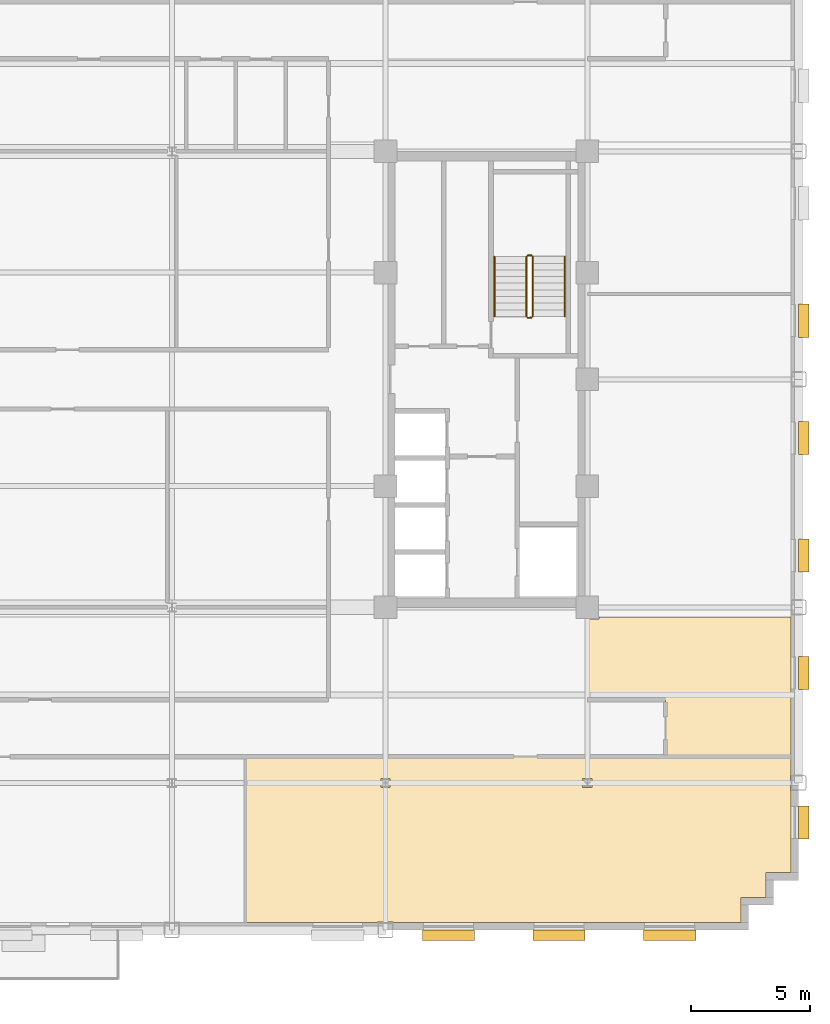
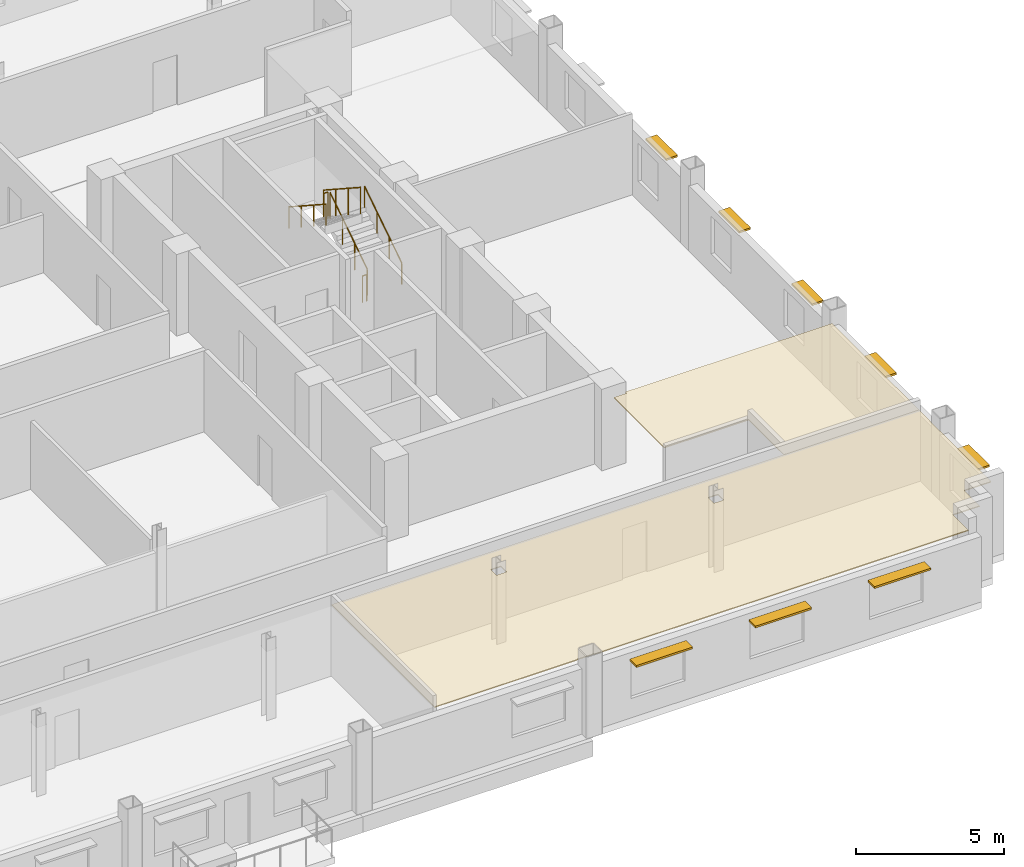
# One storey, part 13 of 14: 8 shading devices, 6 railings, 2 coverings.
"""IFC4 building model written with IfcOpenShell, lengths in metres."""

from ifc_helpers import new_model, si_unit, direction, frame, origin, origin_2d, place, context, subcontext, project, spatial, polyline, rectangle, circle, outline, extrude, source, transform, mapped, material, layer, layer_set, type_object, type_shapes, element, save


model = new_model("IFC4")

# Units and contexts
model_context = context("Model", 3, precision=1e-05, world=origin(), true_north=direction((0.0, 1.0)))
body_context = subcontext(model_context, "Body", "Model", "MODEL_VIEW")
ifc_project = project(units=[si_unit("LENGTHUNIT", "METRE"), si_unit("AREAUNIT", "SQUARE_METRE"), si_unit("VOLUMEUNIT", "CUBIC_METRE"), si_unit("PLANEANGLEUNIT", "RADIAN"), si_unit("MASSUNIT", "GRAM", prefix="KILO")], contexts=[model_context])

# Site, building, storey
site_placement = place(None, origin())
site = spatial("IfcSite", under=ifc_project, at=site_placement, CompositionType="ELEMENT")
building_placement = place(site_placement, origin())
building = spatial("IfcBuilding", under=site, at=building_placement, Name="Nuvemarco Arch Tower", CompositionType="ELEMENT")
storey_placement = place(building_placement, frame((0.0, 0.0, 145.75)))
storey = spatial("IfcBuildingStorey", under=building, at=storey_placement, Name="L38", CompositionType="ELEMENT", Elevation=145.75)

# Coverings
ifc_material_1 = material(Name="Mineral acoustic ceiling tile")
ifc_layer = layer(ifc_material_1, 0.0400390625, Name="COV-ACOUSTIC-CLG")
ifc_layer_set = layer_set([ifc_layer], Name="Mineral acoustic ceiling tile")
covering_type = type_object("IfcCoveringType", Name="COV-ACOUSTIC-CLG", PredefinedType="CEILING", material=ifc_layer_set)
covering_1_placement = place(storey_placement, frame((0.0, 0.0, 2.85009765625)))
element("IfcCovering", 1, at=covering_1_placement, inside=storey, type_object=covering_type, Name="L38 suspended acoustic ceiling 3", PredefinedType="CEILING", context=body_context, shape_type="SweptSolid", body=[
    extrude(outline(polyline([(17.5, -10.090087890625), (17.989990234375, -10.090087890625), (17.989990234375, -10.0), (26.080078125, -10.0), (26.080078125, -15.89990234375), (20.800048828125, -15.89990234375), (20.800048828125, -13.5), (17.5, -13.5), (17.5, -10.090087890625)])), origin(), (0.0, 0.0, 1.0), 0.039794921875),
])
covering_2_placement = place(storey_placement, frame((0.0, 0.0, 2.85009765625)))
element("IfcCovering", 2, at=covering_2_placement, inside=storey, type_object=covering_type, Name="L38 suspended acoustic ceiling 4", PredefinedType="CEILING", context=body_context, shape_type="SweptSolid", body=[
    extrude(outline(polyline([(23.97998046875, -22.8798828125), (9.340087890625, -22.8798828125), (9.340087890625, -22.860107421875), (8.659912109375, -22.860107421875), (8.659912109375, -22.8798828125), (3.10009765625, -22.8798828125), (3.10009765625, -15.89990234375), (6.60009765625, -15.89990234375), (9.0, -15.89990234375), (20.800048828125, -15.89990234375), (26.080078125, -15.89990234375), (26.080078125, -16.659912109375), (26.06005859375, -16.659912109375), (26.06005859375, -17.340087890625), (26.080078125, -17.340087890625), (26.080078125, -20.780029296875), (25.030029296875, -20.780029296875), (25.030029296875, -21.830078125), (23.97998046875, -21.830078125), (23.97998046875, -22.8798828125)]), holes=[polyline([(9.195068359375, -17.195068359375), (9.195068359375, -16.804931640625), (8.804931640625, -16.804931640625), (8.804931640625, -17.195068359375), (9.195068359375, -17.195068359375)]), polyline([(17.695068359375, -17.195068359375), (17.695068359375, -16.804931640625), (17.304931640625, -16.804931640625), (17.304931640625, -17.195068359375), (17.695068359375, -17.195068359375)])]), origin(), (0.0, 0.0, 1.0), 0.039794921875),
])

# Railings
ifc_material_2 = material(Name="Brushed stainless steel handrail", Category="steel")
railing_type_1 = type_object("IfcRailingType", Name="RL-HANDRAIL-900", PredefinedType="HANDRAIL", material=ifc_material_2)
railing_1_placement = place(storey_placement, frame((16.550048828125, 2.64990234375, 0.1826171875)))
element("IfcRailing", 3, at=railing_1_placement, inside=storey, type_object=railing_type_1, Name="L38 ST-2 stair handrail 1", PredefinedType="HANDRAIL", context=body_context, shape_type="SweptSolid", body=[
    extrude(circle(Radius=0.02392578125, at=origin_2d()), frame((0.0, 0.0, 0.8759765625), z_axis=(0.0, 0.837786554691, 0.545997883492), x_axis=(-1.0, 0.0, 0.0)), (0.0, 0.0, 1.0), 3.008056640625),
    extrude(circle(Radius=0.02099609375, at=origin_2d()), origin(), (0.0, 0.0, 1.0), 0.851806640625),
    extrude(circle(Radius=0.02099609375, at=origin_2d()), frame((0.0, 0.840087890625, 0.54736328125)), (0.0, 0.0, 1.0), 0.851806640625),
    extrude(circle(Radius=0.02099609375, at=origin_2d()), frame((0.0, 1.679931640625, 1.094970703125)), (0.0, 0.0, 1.0), 0.851806640625),
    extrude(circle(Radius=0.02099609375, at=origin_2d()), frame((0.0, 2.52001953125, 1.642333984375)), (0.0, 0.0, 1.0), 0.851806640625),
])
railing_2_placement = place(storey_placement, frame((13.590087890625, 5.169921875, 2.007568359375)))
element("IfcRailing", 4, at=railing_2_placement, inside=storey, type_object=railing_type_1, Name="L38 ST-2 stair handrail 2", PredefinedType="HANDRAIL", context=body_context, shape_type="SweptSolid", body=[
    extrude(circle(Radius=0.02392578125, at=origin_2d()), frame((0.0, 0.0, 0.8759765625), z_axis=(0.0, -0.837786554691, 0.545997883492), x_axis=(1.0, 0.0, 0.0)), (0.0, 0.0, 1.0), 3.008056640625),
    extrude(circle(Radius=0.02099609375, at=origin_2d()), origin(), (0.0, 0.0, 1.0), 0.851806640625),
    extrude(circle(Radius=0.02099609375, at=origin_2d()), frame((0.0, -0.840087890625, 0.54736328125)), (0.0, 0.0, 1.0), 0.851806640625),
    extrude(circle(Radius=0.02099609375, at=origin_2d()), frame((0.0, -1.679931640625, 1.094970703125)), (0.0, 0.0, 1.0), 0.851806640625),
    extrude(circle(Radius=0.02099609375, at=origin_2d()), frame((0.0, -2.52001953125, 1.642333984375)), (0.0, 0.0, 1.0), 0.851806640625),
])
ifc_material_3 = material(Name="Painted balustrade steel S355", Category="steel")
railing_type_2 = type_object("IfcRailingType", Name="RL-STAIR-GUARD", PredefinedType="GUARDRAIL", material=ifc_material_3)
railing_3_placement = place(storey_placement, frame((15.199951171875, 2.64990234375, 0.1826171875)))
element("IfcRailing", 5, at=railing_3_placement, inside=storey, type_object=railing_type_2, Name="L38 ST-2 stair guard 1", PredefinedType="GUARDRAIL", context=body_context, shape_type="SweptSolid", body=[
    extrude(circle(Radius=0.02392578125, at=origin_2d()), frame((0.0, 0.0, 1.09619140625), z_axis=(0.0, 0.837786554691, 0.545997883492), x_axis=(-1.0, 0.0, 0.0)), (0.0, 0.0, 1.0), 3.008056640625),
    extrude(circle(Radius=0.02099609375, at=origin_2d()), origin(), (0.0, 0.0, 1.0), 1.072021484375),
    extrude(circle(Radius=0.02099609375, at=origin_2d()), frame((0.0, 0.840087890625, 0.54736328125)), (0.0, 0.0, 1.0), 1.072021484375),
    extrude(circle(Radius=0.02099609375, at=origin_2d()), frame((0.0, 1.679931640625, 1.094970703125)), (0.0, 0.0, 1.0), 1.072021484375),
    extrude(circle(Radius=0.02099609375, at=origin_2d()), frame((0.0, 2.52001953125, 1.642333984375)), (0.0, 0.0, 1.0), 1.072021484375),
])
railing_4_placement = place(storey_placement, frame((15.14990234375, 5.219970703125, 1.824951171875)))
element("IfcRailing", 6, at=railing_4_placement, inside=storey, type_object=railing_type_2, Name="L38 ST-2 stair guard 2", PredefinedType="GUARDRAIL", context=body_context, shape_type="SweptSolid", body=[
    extrude(circle(Radius=0.02392578125, at=origin_2d()), frame((0.0, 0.0, 1.09619140625), z_axis=(-1.0, 0.0, 0.0), x_axis=(0.0, -1.0, 0.0)), (0.0, 0.0, 1.0), 0.159912109375),
    extrude(circle(Radius=0.02099609375, at=origin_2d()), origin(), (0.0, 0.0, 1.0), 1.072021484375),
    extrude(circle(Radius=0.02099609375, at=origin_2d()), frame((-0.159912109375, 0.0, 0.0)), (0.0, 0.0, 1.0), 1.072021484375),
])
railing_5_placement = place(storey_placement, frame((14.93994140625, 5.169921875, 2.007568359375)))
element("IfcRailing", 7, at=railing_5_placement, inside=storey, type_object=railing_type_2, Name="L38 ST-2 stair guard 3", PredefinedType="GUARDRAIL", context=body_context, shape_type="SweptSolid", body=[
    extrude(circle(Radius=0.02392578125, at=origin_2d()), frame((0.0, 0.0, 1.09619140625), z_axis=(0.0, -0.837786554691, 0.545997883492), x_axis=(1.0, 0.0, 0.0)), (0.0, 0.0, 1.0), 3.008056640625),
    extrude(circle(Radius=0.02099609375, at=origin_2d()), origin(), (0.0, 0.0, 1.0), 1.072021484375),
    extrude(circle(Radius=0.02099609375, at=origin_2d()), frame((0.0, -0.840087890625, 0.54736328125)), (0.0, 0.0, 1.0), 1.072021484375),
    extrude(circle(Radius=0.02099609375, at=origin_2d()), frame((0.0, -1.679931640625, 1.094970703125)), (0.0, 0.0, 1.0), 1.072021484375),
    extrude(circle(Radius=0.02099609375, at=origin_2d()), frame((0.0, -2.52001953125, 1.642333984375)), (0.0, 0.0, 1.0), 1.072021484375),
])
railing_6_placement = place(storey_placement, frame((15.14990234375, 2.60009765625, 0.0)))
element("IfcRailing", 8, at=railing_6_placement, inside=storey, type_object=railing_type_2, Name="L38 ST-2 stair guard 4", PredefinedType="GUARDRAIL", context=body_context, shape_type="SweptSolid", body=[
    extrude(circle(Radius=0.02392578125, at=origin_2d()), frame((0.0, 0.0, 1.09619140625), z_axis=(-1.0, 0.0, 0.0), x_axis=(0.0, -1.0, 0.0)), (0.0, 0.0, 1.0), 0.159912109375),
    extrude(circle(Radius=0.02099609375, at=origin_2d()), origin(), (0.0, 0.0, 1.0), 1.072021484375),
    extrude(circle(Radius=0.02099609375, at=origin_2d()), frame((-0.159912109375, 0.0, 0.0)), (0.0, 0.0, 1.0), 1.072021484375),
])

# Shading devices
ifc_material_4 = material(Name="Anodised aluminium 6063-T6", Category="aluminium")
shading_device_type_1 = type_object("IfcShadingDeviceType", Name="SHD-BRISE-SOLEIL", PredefinedType="USERDEFINED", material=ifc_material_4)
shared_shape_1 = source(origin(), body_context, "Body", "SweptSolid", [
    extrude(rectangle(XDim=2.199951171875, YDim=0.449951171875, at=origin_2d()), origin(), (0.0, 0.0, 1.0), 0.080078125),
])
type_shapes(shading_device_type_1, [shared_shape_1])
for number, where, z_axis, x_axis, name in (
    (9, (11.64990234375, -23.4150390625, 2.364990234375), (0.0, 0.0, 1.0), (1.0, 0.0, 0.0), "L38 horizontal brise-soleil sunshade"),
    (10, (16.31005859375, -23.4150390625, 2.364990234375), (0.0, 0.0, 1.0), (1.0, 0.0, 0.0), "L38 horizontal brise-soleil sunshade"),
    (11, (20.969970703125, -23.4150390625, 2.364990234375), (0.0, 0.0, 1.0), (1.0, 0.0, 0.0), "L38 horizontal brise-soleil sunshade"),
):
    element("IfcShadingDevice", number, at=place(storey_placement, frame(where, z_axis=z_axis, x_axis=x_axis)), inside=storey, type_object=shading_device_type_1, Name=name, ObjectType="SUNSHADE", PredefinedType="USERDEFINED", context=body_context, shape_type="MappedRepresentation", body=[
        mapped(shared_shape_1, transform((0.0, 0.0, 0.0), scale=1.0)),
    ])
shading_device_type_2 = type_object("IfcShadingDeviceType", Name="SHD-BRISE-NARROW", PredefinedType="USERDEFINED", material=ifc_material_4)
shared_shape_2 = source(origin(), body_context, "Body", "SweptSolid", [
    extrude(rectangle(XDim=1.39990234375, YDim=0.449951171875, at=origin_2d()), origin(), (0.0, 0.0, 1.0), 0.080078125),
])
type_shapes(shading_device_type_2, [shared_shape_2])
for number, where, z_axis, x_axis, name in (
    (12, (26.614990234375, -18.660888671875, 2.364990234375), (0.0, 0.0, 1.0), (0.0, 1.0, 0.0), "L38 horizontal brise-soleil sunshade"),
    (13, (26.614990234375, -12.364990234375, 2.364990234375), (0.0, 0.0, 1.0), (0.0, 1.0, 0.0), "L38 horizontal brise-soleil sunshade"),
    (14, (26.614990234375, -7.4189453125, 2.364990234375), (0.0, 0.0, 1.0), (0.0, 1.0, 0.0), "L38 horizontal brise-soleil sunshade"),
    (15, (26.614990234375, -2.472900390625, 2.364990234375), (0.0, 0.0, 1.0), (0.0, 1.0, 0.0), "L38 horizontal brise-soleil sunshade"),
    (16, (26.614990234375, 2.472900390625, 2.364990234375), (0.0, 0.0, 1.0), (0.0, 1.0, 0.0), "L38 horizontal brise-soleil sunshade"),
):
    element("IfcShadingDevice", number, at=place(storey_placement, frame(where, z_axis=z_axis, x_axis=x_axis)), inside=storey, type_object=shading_device_type_2, Name=name, ObjectType="SUNSHADE", PredefinedType="USERDEFINED", context=body_context, shape_type="MappedRepresentation", body=[
        mapped(shared_shape_2, transform((0.0, 0.0, 0.0), scale=1.0)),
    ])

save(model, "model.ifc")
